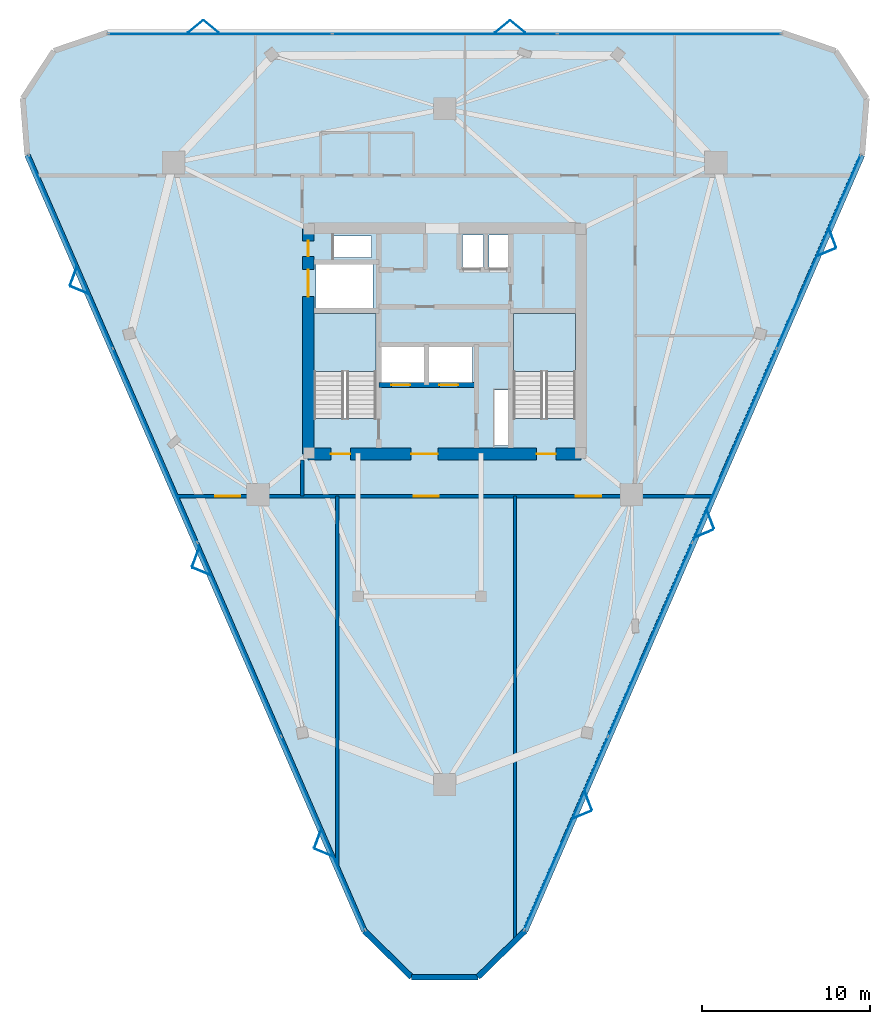
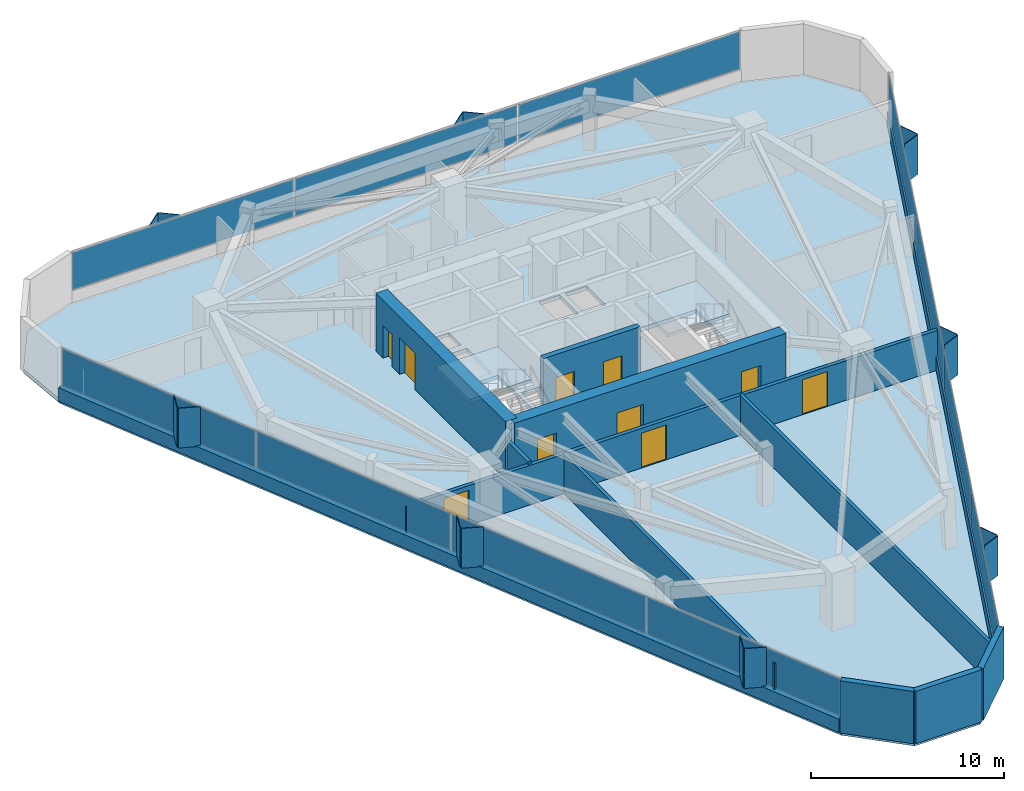
# One storey, part 9 of 12: 27 plates, 12 walls, 10 doors, 3 slabs, 10 openings, 5 elements without a shape of their own.
"""IFC4 building model written with IfcOpenShell, lengths in metres."""

from ifc_helpers import new_model, si_unit, direction, frame, frame_2d, origin, origin_2d, place, context, subcontext, project, spatial, polyline, rectangle, outline, extrude, material, layer, layer_set, type_object, element, fill, aggregate, save


model = new_model("IFC4")

# Units and contexts
model_context = context("Model", 3, precision=1e-05, world=origin(), true_north=direction((0.0, 1.0)))
body_context = subcontext(model_context, "Body", "Model", "MODEL_VIEW")
ifc_project = project(units=[si_unit("LENGTHUNIT", "METRE"), si_unit("AREAUNIT", "SQUARE_METRE"), si_unit("VOLUMEUNIT", "CUBIC_METRE"), si_unit("PLANEANGLEUNIT", "RADIAN"), si_unit("MASSUNIT", "GRAM", prefix="KILO")], contexts=[model_context])

# Site, building, storey
site_placement = place(None, origin())
site = spatial("IfcSite", under=ifc_project, at=site_placement, CompositionType="ELEMENT")
building_placement = place(site_placement, origin())
building = spatial("IfcBuilding", under=site, at=building_placement, Name="Talyreon Biosciences Tower", CompositionType="ELEMENT")
storey_placement = place(building_placement, frame((0.0, 0.0, 219.550048828125)))
storey = spatial("IfcBuildingStorey", under=building, at=storey_placement, Name="L58", CompositionType="ELEMENT", Elevation=219.550048828125)

# Curtain wall, plates
ifc_material_1 = material(Name="Thermally broken aluminium and low-E glazing", Category="aluminium")
ifc_layer_1 = layer(ifc_material_1, 0.179931640625)
ifc_layer_set_1 = layer_set([ifc_layer_1], Name="Thermally broken aluminium and low-E glazing")
curtain_wall_type = type_object("IfcCurtainWallType", Name="CurtainWall_Zone4Optical", PredefinedType="NOTDEFINED", material=ifc_layer_set_1)
curtain_wall_1_placement = place(storey_placement, origin())
curtain_wall_1 = element("IfcCurtainWall", 1, at=curtain_wall_1_placement, inside=storey, type_object=curtain_wall_type, Name="L58 Unitised Curtain Wall FCW-L58-00", PredefinedType="NOTDEFINED")
ifc_material_2 = material(Name="Triple-silver low-E insulated glazing", Category="glass")
ifc_layer_2 = layer(ifc_material_2, 0.031982421875)
ifc_layer_set_2 = layer_set([ifc_layer_2], Name="Triple-silver low-E insulated glazing")
plate_type_1 = type_object("IfcPlateType", Name="CWGlazingPanel_32", PredefinedType="CURTAIN_PANEL", material=ifc_layer_set_2)
plate_1_placement = place(storey_placement, frame((58.79736328125, 38.801513671875, 0.875), z_axis=(0.0, 0.0, 1.0), x_axis=(-0.398376473835, 0.917221993355, 0.0)))
plate_1 = element("IfcPlate", 2, at=plate_1_placement, type_object=plate_type_1, Name="CW5 panel 1.1", PredefinedType="CURTAIN_PANEL", context=body_context, shape_type="SweptSolid", body=[
    extrude(rectangle(XDim=12.453369140625, YDim=0.031982421875, at=origin_2d()), origin(), (0.0, 0.0, 1.0), 2.360107421875),
])
plate_2_placement = place(storey_placement, frame((53.8037109375, 50.298583984375, 0.875), z_axis=(0.0, 0.0, 1.0), x_axis=(-0.398376473835, 0.917221993355, 0.0)))
plate_2 = element("IfcPlate", 3, at=plate_2_placement, type_object=plate_type_1, Name="CW5 panel 2.1", PredefinedType="CURTAIN_PANEL", context=body_context, shape_type="SweptSolid", body=[
    extrude(rectangle(XDim=12.48583984375, YDim=0.031982421875, at=origin_2d()), origin(), (0.0, 0.0, 1.0), 2.360107421875),
])
plate_3_placement = place(storey_placement, frame((48.8037109375, 61.810791015625, 0.875), z_axis=(0.0, 0.0, 1.0), x_axis=(-0.398376473835, 0.917221993355, 0.0)))
plate_3 = element("IfcPlate", 4, at=plate_3_placement, type_object=plate_type_1, Name="CW5 panel 3.1", PredefinedType="CURTAIN_PANEL", context=body_context, shape_type="SweptSolid", body=[
    extrude(rectangle(XDim=12.48583984375, YDim=0.031982421875, at=origin_2d()), origin(), (0.0, 0.0, 1.0), 2.360107421875),
])
plate_4_placement = place(storey_placement, frame((43.810302734375, 73.307861328125, 0.875), z_axis=(0.0, 0.0, 1.0), x_axis=(-0.398376473835, 0.917221993355, 0.0)))
plate_4 = element("IfcPlate", 5, at=plate_4_placement, type_object=plate_type_1, Name="CW5 panel 4.1", PredefinedType="CURTAIN_PANEL", context=body_context, shape_type="SweptSolid", body=[
    extrude(rectangle(XDim=12.453369140625, YDim=0.031982421875, at=origin_2d()), origin(), (0.0, 0.0, 1.0), 2.360107421875),
])
aggregate(curtain_wall_1, [plate_1, plate_2, plate_3, plate_4])

curtain_wall_2_placement = place(storey_placement, origin())
curtain_wall_2 = element("IfcCurtainWall", 6, at=curtain_wall_2_placement, inside=storey, type_object=curtain_wall_type, Name="L58 Unitised Curtain Wall FCW-L58-04", PredefinedType="NOTDEFINED")
plate_5_placement = place(storey_placement, frame((52.682861328125, 86.23828125, 0.875), z_axis=(0.0, 0.0, 1.0), x_axis=(1.0, 0.0, 0.0)))
plate_5 = element("IfcPlate", 7, at=plate_5_placement, type_object=plate_type_1, Name="CW5 panel 1.1", PredefinedType="CURTAIN_PANEL", context=body_context, shape_type="SweptSolid", body=[
    extrude(rectangle(XDim=13.23583984375, YDim=0.031982421875, at=origin_2d()), origin(), (0.0, 0.0, 1.0), 2.360107421875),
])
plate_6_placement = place(storey_placement, frame((66.0, 86.23828125, 0.875), z_axis=(0.0, 0.0, 1.0), x_axis=(1.0, 0.0, 0.0)))
plate_6 = element("IfcPlate", 8, at=plate_6_placement, type_object=plate_type_1, Name="CW5 panel 2.1", PredefinedType="CURTAIN_PANEL", context=body_context, shape_type="SweptSolid", body=[
    extrude(rectangle(XDim=13.268310546875, YDim=0.031982421875, at=origin_2d()), origin(), (0.0, 0.0, 1.0), 2.360107421875),
])
plate_7_placement = place(storey_placement, frame((79.317138671875, 86.23828125, 0.875), z_axis=(0.0, 0.0, 1.0), x_axis=(1.0, 0.0, 0.0)))
plate_7 = element("IfcPlate", 9, at=plate_7_placement, type_object=plate_type_1, Name="CW5 panel 3.1", PredefinedType="CURTAIN_PANEL", context=body_context, shape_type="SweptSolid", body=[
    extrude(rectangle(XDim=13.23583984375, YDim=0.031982421875, at=origin_2d()), origin(), (0.0, 0.0, 1.0), 2.360107421875),
])
aggregate(curtain_wall_2, [plate_5, plate_6, plate_7])

curtain_wall_3_placement = place(storey_placement, origin())
curtain_wall_3 = element("IfcCurtainWall", 10, at=curtain_wall_3_placement, inside=storey, type_object=curtain_wall_type, Name="L58 Unitised Curtain Wall FCW-L58-08", PredefinedType="NOTDEFINED")
plate_8_placement = place(storey_placement, frame((88.189697265625, 73.307861328125, 0.875), z_axis=(0.0, 0.0, 1.0), x_axis=(-0.398376473835, -0.917221993355, 0.0)))
plate_8 = element("IfcPlate", 11, at=plate_8_placement, type_object=plate_type_1, Name="CW5 panel 1.1", PredefinedType="CURTAIN_PANEL", context=body_context, shape_type="SweptSolid", body=[
    extrude(rectangle(XDim=12.453369140625, YDim=0.031982421875, at=origin_2d()), origin(), (0.0, 0.0, 1.0), 2.360107421875),
])
plate_9_placement = place(storey_placement, frame((83.1962890625, 61.810791015625, 0.875), z_axis=(0.0, 0.0, 1.0), x_axis=(-0.398376473835, -0.917221993355, 0.0)))
plate_9 = element("IfcPlate", 12, at=plate_9_placement, type_object=plate_type_1, Name="CW5 panel 2.1", PredefinedType="CURTAIN_PANEL", context=body_context, shape_type="SweptSolid", body=[
    extrude(rectangle(XDim=12.48583984375, YDim=0.031982421875, at=origin_2d()), origin(), (0.0, 0.0, 1.0), 2.360107421875),
])
plate_10_placement = place(storey_placement, frame((78.1962890625, 50.298583984375, 0.875), z_axis=(0.0, 0.0, 1.0), x_axis=(-0.398376473835, -0.917221993355, 0.0)))
plate_10 = element("IfcPlate", 13, at=plate_10_placement, type_object=plate_type_1, Name="CW5 panel 3.1", PredefinedType="CURTAIN_PANEL", context=body_context, shape_type="SweptSolid", body=[
    extrude(rectangle(XDim=12.48583984375, YDim=0.031982421875, at=origin_2d()), origin(), (0.0, 0.0, 1.0), 2.360107421875),
])
plate_11_placement = place(storey_placement, frame((73.20263671875, 38.801513671875, 0.875), z_axis=(0.0, 0.0, 1.0), x_axis=(-0.398376473835, -0.917221993355, 0.0)))
plate_11 = element("IfcPlate", 14, at=plate_11_placement, type_object=plate_type_1, Name="CW5 panel 4.1", PredefinedType="CURTAIN_PANEL", context=body_context, shape_type="SweptSolid", body=[
    extrude(rectangle(XDim=12.453369140625, YDim=0.031982421875, at=origin_2d()), origin(), (0.0, 0.0, 1.0), 2.360107421875),
])
aggregate(curtain_wall_3, [plate_8, plate_9, plate_10, plate_11])

# Slab
ifc_material_3 = material(Name="Concrete C40/50", Category="concrete")
ifc_layer_3 = layer(ifc_material_3, 0.25)
ifc_layer_set_3 = layer_set([ifc_layer_3], Name="Concrete C40/50")
slab_type_1 = type_object("IfcSlabType", Name="DryLabFloorSlab_250", PredefinedType="FLOOR", material=ifc_layer_set_3)
slab_1_placement = place(storey_placement, frame((0.0, 0.0, -0.25)))
element("IfcSlab", 15, at=slab_1_placement, inside=storey, type_object=slab_type_1, Name="L58 Structural Floor Slab", PredefinedType="FLOOR", context=body_context, shape_type="SweptSolid", body=[
    extrude(outline(polyline([(61.23046875, 32.998779296875), (41.23046875, 79.046875), (40.962158203125, 82.406982421875), (42.81103515625, 85.225830078125), (46.0, 86.318359375), (86.0, 86.318359375), (89.18896484375, 85.225830078125), (91.037841796875, 82.406982421875), (90.76953125, 79.046875), (70.76953125, 32.998779296875), (67.962646484375, 30.2548828125), (64.037353515625, 30.2548828125), (61.23046875, 32.998779296875)]), holes=[polyline([(69.820068359375, 65.10009765625), (69.820068359375, 61.800048828125), (68.9599609375, 61.800048828125), (68.9599609375, 65.10009765625), (69.820068359375, 65.10009765625)]), polyline([(61.929931640625, 69.64990234375), (61.929931640625, 63.407958984375), (58.25, 63.407958984375), (58.25, 69.64990234375), (61.929931640625, 69.64990234375)]), polyline([(73.75, 69.64990234375), (73.75, 63.407958984375), (70.070068359375, 63.407958984375), (70.070068359375, 69.64990234375), (73.75, 69.64990234375)]), polyline([(64.800048828125, 67.64990234375), (64.800048828125, 65.550048828125), (62.199951171875, 65.550048828125), (62.199951171875, 67.64990234375), (64.800048828125, 67.64990234375)]), polyline([(67.64990234375, 67.64990234375), (67.64990234375, 65.550048828125), (65.050048828125, 65.550048828125), (65.050048828125, 67.64990234375), (67.64990234375, 67.64990234375)]), polyline([(61.75, 72.550048828125), (61.75, 69.97998046875), (58.35009765625, 69.97998046875), (58.35009765625, 72.550048828125), (61.75, 72.550048828125)]), polyline([(68.300048828125, 74.300048828125), (68.300048828125, 72.35009765625), (67.050048828125, 72.35009765625), (67.050048828125, 74.300048828125), (68.300048828125, 74.300048828125)]), polyline([(69.919921875, 72.35009765625), (68.6201171875, 72.35009765625), (68.6201171875, 74.300048828125), (69.919921875, 74.300048828125), (69.919921875, 72.35009765625)]), polyline([(61.64990234375, 72.9599609375), (59.39990234375, 72.9599609375), (59.39990234375, 74.25), (61.64990234375, 74.25), (61.64990234375, 72.9599609375)])]), origin(), (0.0, 0.0, 1.0), 0.25),
])

# Plates
ifc_material_4 = material(Name="Ivory GFRC sunshade panel", Category="concrete")
ifc_layer_4 = layer(ifc_material_4, 0.044921875)
ifc_layer_set_4 = layer_set([ifc_layer_4], Name="Ivory GFRC sunshade panel")
plate_type_2 = type_object("IfcPlateType", Name="FoldedVSunshade_NorthFace_SUNSHADE", PredefinedType="USERDEFINED", material=ifc_layer_set_4)
for number, where, z_axis, x_axis, name in (
    (16, (51.219970703125, 86.678466796875, 0.7900390625), (0.0, 0.0, 1.0), (0.771624583388, 0.636078220278, 0.0), "L58 Folded V-Sunshade Panel 04.01L"),
    (17, (52.1201171875, 86.678466796875, 0.7900390625), (0.0, 0.0, 1.0), (0.771624583388, -0.636078220278, 0.0), "L58 Folded V-Sunshade Panel 04.01R"),
    (18, (69.419921875, 86.678466796875, 0.7900390625), (0.0, 0.0, 1.0), (0.771624583388, 0.636078220278, 0.0), "L58 Folded V-Sunshade Panel 04.02L"),
    (19, (70.320068359375, 86.678466796875, 0.7900390625), (0.0, 0.0, 1.0), (0.771624583388, -0.636078220278, 0.0), "L58 Folded V-Sunshade Panel 04.02R"),
):
    element("IfcPlate", number, at=place(storey_placement, frame(where, z_axis=z_axis, x_axis=x_axis)), inside=storey, type_object=plate_type_2, Name=name, ObjectType="SUNSHADE", PredefinedType="USERDEFINED", context=body_context, shape_type="SweptSolid", body=[
        extrude(rectangle(XDim=1.14990234375, YDim=0.044921875, at=origin_2d()), origin(), (0.0, 0.0, 1.0), 2.510009765625),
    ])
ifc_layer_5 = layer(ifc_material_4, 0.044921875)
ifc_layer_set_5 = layer_set([ifc_layer_5], Name="Ivory GFRC sunshade panel")
plate_type_3 = type_object("IfcPlateType", Name="FoldedVSunshade_SunFace_SUNSHADE", PredefinedType="USERDEFINED", material=ifc_layer_set_5)
for number, where, z_axis, x_axis, name in (
    (20, (58.82080078125, 37.643310546875, 0.7900390625), (0.0, 0.0, 1.0), (-0.923725839102, 0.383054270536, 0.0), "L58 Folded V-Sunshade Panel 00.01L"),
    (21, (58.462158203125, 38.46875, 0.7900390625), (0.0, 0.0, 1.0), (0.350583357348, 0.93653153153, 0.0), "L58 Folded V-Sunshade Panel 00.01R"),
    (22, (51.5703125, 54.336669921875, 0.7900390625), (0.0, 0.0, 1.0), (-0.923725839102, 0.383054270536, 0.0), "L58 Folded V-Sunshade Panel 00.02L"),
    (23, (51.211669921875, 55.162109375, 0.7900390625), (0.0, 0.0, 1.0), (0.350583357348, 0.93653153153, 0.0), "L58 Folded V-Sunshade Panel 00.02R"),
    (24, (44.31982421875, 71.0302734375, 0.7900390625), (0.0, 0.0, 1.0), (-0.923725839102, 0.383054270536, 0.0), "L58 Folded V-Sunshade Panel 00.03L"),
    (25, (43.961181640625, 71.855712890625, 0.7900390625), (0.0, 0.0, 1.0), (0.350583357348, 0.93653153153, 0.0), "L58 Folded V-Sunshade Panel 00.03R"),
    (26, (89.020263671875, 74.115478515625, 0.7900390625), (0.0, 0.0, 1.0), (0.350583357348, -0.93653153153, 0.0), "L58 Folded V-Sunshade Panel 08.01L"),
    (27, (88.66162109375, 73.2900390625, 0.7900390625), (0.0, 0.0, 1.0), (-0.923725839102, -0.383054270536, 0.0), "L58 Folded V-Sunshade Panel 08.01R"),
    (28, (81.769775390625, 57.422119140625, 0.7900390625), (0.0, 0.0, 1.0), (0.350583357348, -0.93653153153, 0.0), "L58 Folded V-Sunshade Panel 08.02L"),
    (29, (81.411376953125, 56.596435546875, 0.7900390625), (0.0, 0.0, 1.0), (-0.923725839102, -0.383054270536, 0.0), "L58 Folded V-Sunshade Panel 08.02R"),
    (30, (74.519287109375, 40.728515625, 0.7900390625), (0.0, 0.0, 1.0), (0.350583357348, -0.93653153153, 0.0), "L58 Folded V-Sunshade Panel 08.03L"),
    (31, (74.160888671875, 39.903076171875, 0.7900390625), (0.0, 0.0, 1.0), (-0.923725839102, -0.383054270536, 0.0), "L58 Folded V-Sunshade Panel 08.03R"),
):
    element("IfcPlate", number, at=place(storey_placement, frame(where, z_axis=z_axis, x_axis=x_axis)), inside=storey, type_object=plate_type_3, Name=name, ObjectType="SUNSHADE", PredefinedType="USERDEFINED", context=body_context, shape_type="SweptSolid", body=[
        extrude(rectangle(XDim=1.14990234375, YDim=0.044921875, at=origin_2d()), origin(), (0.0, 0.0, 1.0), 2.510009765625),
    ])

# Stair, slab
stair_type = type_object("IfcStairType", Name="DoglegEscapeStair_3650", PredefinedType="HALF_TURN_STAIR", material=ifc_material_3)
stair_1_placement = place(storey_placement, origin())
stair_1 = element("IfcStair", 32, at=stair_1_placement, inside=storey, type_object=stair_type, Name="L58 Core Escape Stair 1", PredefinedType="HALF_TURN_STAIR")
ifc_layer_6 = layer(ifc_material_3, 0.199951171875)
ifc_layer_set_6 = layer_set([ifc_layer_6], Name="Concrete C40/50")
slab_type_2 = type_object("IfcSlabType", Name="StairLandingSlab_200", PredefinedType="LANDING", material=ifc_layer_set_6)
slab_2_placement = place(storey_placement, frame((0.0, 0.0, 1.625)))
slab_2 = element("IfcSlab", 33, at=slab_2_placement, type_object=slab_type_2, Name="ST-1 landing 1", PredefinedType="LANDING", context=body_context, shape_type="SweptSolid", body=[
    extrude(outline(polyline([(61.929931640625, 66.199951171875), (61.929931640625, 69.64990234375), (58.25, 69.64990234375), (58.25, 66.199951171875), (61.929931640625, 66.199951171875)])), origin(), (0.0, 0.0, 1.0), 0.199951171875),
])
aggregate(stair_1, [slab_2])

stair_2_placement = place(storey_placement, origin())
stair_2 = element("IfcStair", 34, at=stair_2_placement, inside=storey, type_object=stair_type, Name="L58 Core Escape Stair 2", PredefinedType="HALF_TURN_STAIR")
slab_3_placement = place(storey_placement, frame((0.0, 0.0, 1.625)))
slab_3 = element("IfcSlab", 35, at=slab_3_placement, type_object=slab_type_2, Name="ST-2 landing 1", PredefinedType="LANDING", context=body_context, shape_type="SweptSolid", body=[
    extrude(outline(polyline([(73.75, 66.199951171875), (73.75, 69.64990234375), (70.070068359375, 69.64990234375), (70.070068359375, 66.199951171875), (73.75, 66.199951171875)])), origin(), (0.0, 0.0, 1.0), 0.199951171875),
])
aggregate(stair_2, [slab_3])

# Walls
ifc_material_5 = material(Name="Gypsum fireboard acoustic stud", Category="gypsum")
ifc_layer_7 = layer(ifc_material_5, 0.199951171875)
ifc_layer_set_7 = layer_set([ifc_layer_7], Name="Gypsum fireboard acoustic stud")
wall_type_1 = type_object("IfcWallType", Name="ChemControlPartition_200", PredefinedType="PARTITIONING", material=ifc_layer_set_7)
wall_1_placement = place(storey_placement, frame((59.6259765625, 36.906005859375, 0.0), z_axis=(0.0, 0.0, 1.0), x_axis=(0.0, 1.0, 0.0)))
element("IfcWall", 36, at=wall_1_placement, inside=storey, type_object=wall_type_1, Name="L58 Interior Wall IW-L58-SDIV1", PredefinedType="PARTITIONING", context=body_context, shape_type="SweptSolid", body=[
    extrude(rectangle(XDim=21.89404296875, YDim=0.199951171875, at=frame_2d((10.947021484375, 0.0))), origin(), (0.0, 0.0, 1.0), 2.5),
])
wall_2_placement = place(storey_placement, frame((70.174072265625, 32.535400390625, 0.0), z_axis=(0.0, 0.0, 1.0), x_axis=(0.0, 1.0, 0.0)))
element("IfcWall", 37, at=wall_2_placement, inside=storey, type_object=wall_type_1, Name="L58 Interior Wall IW-L58-SDIV2", PredefinedType="PARTITIONING", context=body_context, shape_type="SweptSolid", body=[
    extrude(rectangle(XDim=26.2646484375, YDim=0.199951171875, at=frame_2d((13.13232421875, 0.0))), origin(), (0.0, 0.0, 1.0), 2.5),
])

# Wall, openings, doors
ifc_material_6 = material(Name="Concrete C50/60", Category="concrete")
ifc_layer_8 = layer(ifc_material_6, 0.320068359375)
ifc_layer_set_8 = layer_set([ifc_layer_8], Name="Concrete C50/60")
wall_type_2 = type_object("IfcWallType", Name="CoreShearWall_320", PredefinedType="SHEAR", material=ifc_layer_set_8)
wall_3_placement = place(storey_placement, frame((62.090087890625, 65.39990234375, 0.0), z_axis=(0.0, 0.0, 1.0), x_axis=(1.0, 0.0, 0.0)))
wall_3 = element("IfcWall", 38, at=wall_3_placement, inside=storey, type_object=wall_type_2, Name="L58 Core Shaft Wall SWFFN", PredefinedType="SHEAR", context=body_context, shape_type="SweptSolid", body=[
    extrude(rectangle(XDim=5.789794921875, YDim=0.320068359375, at=frame_2d((2.89501953125, 0.0))), origin(), (0.0, 0.0, 1.0), 3.64990234375),
])
opening_1_placement = place(wall_3_placement, frame((0.75, 0.0, 0.0)))
opening_1 = element("IfcOpeningElement", 39, at=opening_1_placement, cuts=wall_3, Name="Opening LD-L58-FL1", PredefinedType="OPENING", context=body_context, shape_type="SweptSolid", body=[
    extrude(rectangle(XDim=1.10009765625, YDim=2.199951171875, at=frame_2d((0.550048828125, 1.10009765625))), frame((0.0, 0.169921875, 0.0), z_axis=(0.0, -1.0, 0.0), x_axis=(1.0, 0.0, 0.0)), (0.0, 0.0, 1.0), 0.340087890625),
])
opening_2_placement = place(wall_3_placement, frame((3.60009765625, 0.0, 0.0)))
opening_2 = element("IfcOpeningElement", 40, at=opening_2_placement, cuts=wall_3, Name="Opening LD-L58-FL2", PredefinedType="OPENING", context=body_context, shape_type="SweptSolid", body=[
    extrude(rectangle(XDim=1.10009765625, YDim=2.199951171875, at=frame_2d((0.550048828125, 1.10009765625))), frame((0.0, 0.169921875, 0.0), z_axis=(0.0, -1.0, 0.0), x_axis=(1.0, 0.0, 0.0)), (0.0, 0.0, 1.0), 0.340087890625),
])
ifc_material_7 = material(Name="Brushed stainless-steel lift landing door", Category="steel")
door_type_1 = type_object("IfcDoorType", Name="LiftSlidingLandingDoor_1100x2200", OperationType="SLIDING_TO_LEFT", PredefinedType="DOOR", material=ifc_material_7)
door_1_placement = place(opening_1_placement, origin())
door_1 = element("IfcDoor", 41, at=door_1_placement, inside=storey, type_object=door_type_1, Name="L58 Core Door LD-L58-FL1", OperationType="SLIDING_TO_LEFT", OverallHeight=2.199951171875, OverallWidth=1.10009765625, PredefinedType="DOOR", context=body_context, shape_type="SweptSolid", body=[
    extrude(rectangle(XDim=1.10009765625, YDim=2.199951171875, at=frame_2d((0.550048828125, 1.10009765625))), frame((0.0, 0.02490234375, 0.0), z_axis=(0.0, -1.0, 0.0), x_axis=(1.0, 0.0, 0.0)), (0.0, 0.0, 1.0), 0.050048828125),
])
fill(opening_1, door_1)
door_2_placement = place(opening_2_placement, origin())
door_2 = element("IfcDoor", 42, at=door_2_placement, inside=storey, type_object=door_type_1, Name="L58 Core Door LD-L58-FL2", OperationType="SLIDING_TO_LEFT", OverallHeight=2.199951171875, OverallWidth=1.10009765625, PredefinedType="DOOR", context=body_context, shape_type="SweptSolid", body=[
    extrude(rectangle(XDim=1.10009765625, YDim=2.199951171875, at=frame_2d((0.550048828125, 1.10009765625))), frame((0.0, 0.02490234375, 0.0), z_axis=(0.0, -1.0, 0.0), x_axis=(1.0, 0.0, 0.0)), (0.0, 0.0, 1.0), 0.050048828125),
])
fill(opening_2, door_2)

ifc_layer_9 = layer(ifc_material_6, 0.699951171875)
ifc_layer_set_9 = layer_set([ifc_layer_9], Name="Concrete C50/60")
wall_type_3 = type_object("IfcWallType", Name="CoreShearWall_700", PredefinedType="SHEAR", material=ifc_layer_set_9)
wall_4_placement = place(storey_placement, frame((57.89990234375, 61.300048828125, 0.0), z_axis=(0.0, 0.0, 1.0), x_axis=(1.0, 0.0, 0.0)))
wall_4 = element("IfcWall", 43, at=wall_4_placement, inside=storey, type_object=wall_type_3, Name="L58 Core Shear Wall S", PredefinedType="SHEAR", context=body_context, shape_type="SweptSolid", body=[
    extrude(rectangle(XDim=16.2001953125, YDim=0.699951171875, at=frame_2d((8.10009765625, 0.0))), origin(), (0.0, 0.0, 1.0), 3.64990234375),
])
opening_3_placement = place(wall_4_placement, frame((1.35009765625, 0.0, 0.0)))
opening_3 = element("IfcOpeningElement", 44, at=opening_3_placement, cuts=wall_4, Name="Opening DR-L58-ST1", PredefinedType="OPENING", context=body_context, shape_type="SweptSolid", body=[
    extrude(rectangle(XDim=1.14990234375, YDim=2.14990234375, at=frame_2d((0.574951171875, 1.074951171875))), frame((0.0, 0.35986328125, 0.0), z_axis=(0.0, -1.0, 0.0), x_axis=(1.0, 0.0, 0.0)), (0.0, 0.0, 1.0), 0.719970703125),
])
opening_4_placement = place(wall_4_placement, frame((6.10009765625, 0.0, 0.0)))
opening_4 = element("IfcOpeningElement", 45, at=opening_4_placement, cuts=wall_4, Name="Opening DR-L58-FFL", PredefinedType="OPENING", context=body_context, shape_type="SweptSolid", body=[
    extrude(rectangle(XDim=1.60009765625, YDim=2.14990234375, at=frame_2d((0.800048828125, 1.074951171875))), frame((0.0, 0.35986328125, 0.0), z_axis=(0.0, -1.0, 0.0), x_axis=(1.0, 0.0, 0.0)), (0.0, 0.0, 1.0), 0.719970703125),
])
opening_5_placement = place(wall_4_placement, frame((13.550048828125, 0.0, 0.0)))
opening_5 = element("IfcOpeningElement", 46, at=opening_5_placement, cuts=wall_4, Name="Opening DR-L58-ST2", PredefinedType="OPENING", context=body_context, shape_type="SweptSolid", body=[
    extrude(rectangle(XDim=1.14990234375, YDim=2.14990234375, at=frame_2d((0.574951171875, 1.074951171875))), frame((0.0, 0.35986328125, 0.0), z_axis=(0.0, -1.0, 0.0), x_axis=(1.0, 0.0, 0.0)), (0.0, 0.0, 1.0), 0.719970703125),
])
ifc_material_8 = material(Name="Painted steel smoke-seal fire door", Category="steel")
door_type_2 = type_object("IfcDoorType", Name="FirefightingLobbyDoubleDoor_1600x2150", OperationType="DOUBLE_DOOR_SINGLE_SWING", PredefinedType="DOOR", material=ifc_material_8)
door_3_placement = place(opening_4_placement, origin())
door_3 = element("IfcDoor", 47, at=door_3_placement, inside=storey, type_object=door_type_2, Name="L58 Core Door DR-L58-FFL", OperationType="DOUBLE_DOOR_SINGLE_SWING", OverallHeight=2.14990234375, OverallWidth=1.60009765625, PredefinedType="DOOR", context=body_context, shape_type="SweptSolid", body=[
    extrude(rectangle(XDim=1.60009765625, YDim=2.14990234375, at=frame_2d((0.800048828125, 1.074951171875))), frame((0.0, 0.02490234375, 0.0), z_axis=(0.0, -1.0, 0.0), x_axis=(1.0, 0.0, 0.0)), (0.0, 0.0, 1.0), 0.050048828125),
])
fill(opening_4, door_3)
ifc_material_9 = material(Name="Painted steel fire door", Category="steel")
door_type_3 = type_object("IfcDoorType", Name="StairShaftFireDoor_1150x2150", OperationType="NOTDEFINED", PredefinedType="DOOR", material=ifc_material_9)
door_4_placement = place(opening_3_placement, origin())
door_4 = element("IfcDoor", 48, at=door_4_placement, inside=storey, type_object=door_type_3, Name="L58 Core Door DR-L58-ST1", OperationType="SINGLE_SWING_LEFT", OverallHeight=2.14990234375, OverallWidth=1.14990234375, PredefinedType="DOOR", context=body_context, shape_type="SweptSolid", body=[
    extrude(rectangle(XDim=1.14990234375, YDim=2.14990234375, at=frame_2d((0.574951171875, 1.074951171875))), frame((0.0, 0.02490234375, 0.0), z_axis=(0.0, -1.0, 0.0), x_axis=(1.0, 0.0, 0.0)), (0.0, 0.0, 1.0), 0.050048828125),
])
fill(opening_3, door_4)
door_5_placement = place(opening_5_placement, origin())
door_5 = element("IfcDoor", 49, at=door_5_placement, inside=storey, type_object=door_type_3, Name="L58 Core Door DR-L58-ST2", OperationType="SINGLE_SWING_RIGHT", OverallHeight=2.14990234375, OverallWidth=1.14990234375, PredefinedType="DOOR", context=body_context, shape_type="SweptSolid", body=[
    extrude(rectangle(XDim=1.14990234375, YDim=2.14990234375, at=frame_2d((0.574951171875, 1.074951171875))), frame((0.0, 0.02490234375, 0.0), z_axis=(0.0, -1.0, 0.0), x_axis=(1.0, 0.0, 0.0)), (0.0, 0.0, 1.0), 0.050048828125),
])
fill(opening_5, door_5)

wall_5_placement = place(storey_placement, frame((57.89990234375, 74.699951171875, 0.0), z_axis=(0.0, 0.0, 1.0), x_axis=(0.0, -1.0, 0.0)))
wall_5 = element("IfcWall", 50, at=wall_5_placement, inside=storey, type_object=wall_type_3, Name="L58 Core Shear Wall W", PredefinedType="SHEAR", context=body_context, shape_type="SweptSolid", body=[
    extrude(rectangle(XDim=13.39990234375, YDim=0.699951171875, at=frame_2d((6.699951171875, 0.0))), origin(), (0.0, 0.0, 1.0), 3.64990234375),
])
opening_6_placement = place(wall_5_placement, frame((0.75, 0.0, 0.0)))
opening_6 = element("IfcOpeningElement", 51, at=opening_6_placement, cuts=wall_5, Name="Opening DR-L58-RSW", PredefinedType="OPENING", context=body_context, shape_type="SweptSolid", body=[
    extrude(rectangle(XDim=0.919921875, YDim=2.050048828125, at=frame_2d((0.4599609375, 1.02490234375))), frame((0.0, 0.35986328125, 0.0), z_axis=(0.0, -1.0, 0.0), x_axis=(1.0, 0.0, 0.0)), (0.0, 0.0, 1.0), 0.719970703125),
])
opening_7_placement = place(wall_5_placement, frame((2.449951171875, 0.0, 0.0)))
opening_7 = element("IfcOpeningElement", 52, at=opening_7_placement, cuts=wall_5, Name="Opening LD-L58-GL1", PredefinedType="OPENING", context=body_context, shape_type="SweptSolid", body=[
    extrude(rectangle(XDim=1.60009765625, YDim=2.300048828125, at=frame_2d((0.800048828125, 1.14990234375))), frame((0.0, 0.35986328125, 0.0), z_axis=(0.0, -1.0, 0.0), x_axis=(1.0, 0.0, 0.0)), (0.0, 0.0, 1.0), 0.719970703125),
])
ifc_material_10 = material(Name="Heavy-duty stainless-steel goods lift door", Category="steel")
door_type_4 = type_object("IfcDoorType", Name="GoodsLiftSlidingDoor_1600x2300", OperationType="DOUBLE_DOOR_SLIDING", PredefinedType="DOOR", material=ifc_material_10)
door_6_placement = place(opening_7_placement, origin())
door_6 = element("IfcDoor", 53, at=door_6_placement, inside=storey, type_object=door_type_4, Name="L58 Core Door LD-L58-GL1", OperationType="DOUBLE_DOOR_SLIDING", OverallHeight=2.300048828125, OverallWidth=1.60009765625, PredefinedType="DOOR", context=body_context, shape_type="SweptSolid", body=[
    extrude(rectangle(XDim=1.60009765625, YDim=2.300048828125, at=frame_2d((0.800048828125, 1.14990234375))), frame((0.0, 0.02490234375, 0.0), z_axis=(0.0, -1.0, 0.0), x_axis=(1.0, 0.0, 0.0)), (0.0, 0.0, 1.0), 0.050048828125),
])
fill(opening_7, door_6)
ifc_material_11 = material(Name="Painted steel fire-rated riser door", Category="steel")
door_type_5 = type_object("IfcDoorType", Name="RiserPlantAccessDoor_920x2050", OperationType="NOTDEFINED", PredefinedType="DOOR", material=ifc_material_11)
door_7_placement = place(opening_6_placement, origin())
door_7 = element("IfcDoor", 54, at=door_7_placement, inside=storey, type_object=door_type_5, Name="L58 Core Door DR-L58-RSW", OperationType="SINGLE_SWING_LEFT", OverallHeight=2.050048828125, OverallWidth=0.919921875, PredefinedType="DOOR", context=body_context, shape_type="SweptSolid", body=[
    extrude(rectangle(XDim=0.919921875, YDim=2.050048828125, at=frame_2d((0.4599609375, 1.02490234375))), frame((0.0, 0.02490234375, 0.0), z_axis=(0.0, -1.0, 0.0), x_axis=(1.0, 0.0, 0.0)), (0.0, 0.0, 1.0), 0.050048828125),
])
fill(opening_6, door_7)

ifc_layer_10 = layer(ifc_material_5, 0.219970703125)
ifc_layer_set_10 = layer_set([ifc_layer_10], Name="Gypsum fireboard acoustic stud")
wall_type_4 = type_object("IfcWallType", Name="CorridorRatedPartition_220", PredefinedType="PARTITIONING", material=ifc_layer_set_10)
wall_6_placement = place(storey_placement, frame((50.116943359375, 58.800048828125, 0.0), z_axis=(0.0, 0.0, 1.0), x_axis=(1.0, 0.0, 0.0)))
wall_6 = element("IfcWall", 55, at=wall_6_placement, inside=storey, type_object=wall_type_4, Name="L58 Interior Wall IW-L58-COR-S", PredefinedType="PARTITIONING", context=body_context, shape_type="SweptSolid", body=[
    extrude(rectangle(XDim=31.76611328125, YDim=0.219970703125, at=frame_2d((15.883056640625, 0.0))), origin(), (0.0, 0.0, 1.0), 2.5),
])
opening_8_placement = place(wall_6_placement, frame((2.25, 0.0, 0.0)))
opening_8 = element("IfcOpeningElement", 56, at=opening_8_placement, cuts=wall_6, Name="Opening DR-L58-S1A", PredefinedType="OPENING", context=body_context, shape_type="SweptSolid", body=[
    extrude(rectangle(XDim=1.5, YDim=2.199951171875, at=frame_2d((0.75, 1.10009765625))), frame((0.0, 0.119873046875, 0.0), z_axis=(0.0, -1.0, 0.0), x_axis=(1.0, 0.0, 0.0)), (0.0, 0.0, 1.0), 0.239990234375),
])
opening_9_placement = place(wall_6_placement, frame((14.032958984375, 0.0, 0.0)))
opening_9 = element("IfcOpeningElement", 57, at=opening_9_placement, cuts=wall_6, Name="Opening DR-L58-S2A", PredefinedType="OPENING", context=body_context, shape_type="SweptSolid", body=[
    extrude(rectangle(XDim=1.5, YDim=2.199951171875, at=frame_2d((0.75, 1.10009765625))), frame((0.0, 0.119873046875, 0.0), z_axis=(0.0, -1.0, 0.0), x_axis=(1.0, 0.0, 0.0)), (0.0, 0.0, 1.0), 0.239990234375),
])
opening_10_placement = place(wall_6_placement, frame((23.658935546875, 0.0, 0.0)))
opening_10 = element("IfcOpeningElement", 58, at=opening_10_placement, cuts=wall_6, Name="Opening DR-L58-S3A", PredefinedType="OPENING", context=body_context, shape_type="SweptSolid", body=[
    extrude(rectangle(XDim=1.5, YDim=2.199951171875, at=frame_2d((0.75, 1.10009765625))), frame((0.0, 0.119873046875, 0.0), z_axis=(0.0, -1.0, 0.0), x_axis=(1.0, 0.0, 0.0)), (0.0, 0.0, 1.0), 0.239990234375),
])
ifc_material_12 = material(Name="Vision-panel steel laboratory fire door", Category="steel")
door_type_6 = type_object("IfcDoorType", Name="WetLabDoubleLeafDoor_1500x2200", OperationType="DOUBLE_DOOR_SINGLE_SWING", PredefinedType="DOOR", material=ifc_material_12)
door_8_placement = place(opening_8_placement, origin())
door_8 = element("IfcDoor", 59, at=door_8_placement, inside=storey, type_object=door_type_6, Name="L58 Interior Door DR-L58-S1A", OperationType="DOUBLE_DOOR_SINGLE_SWING", OverallHeight=2.199951171875, OverallWidth=1.5, PredefinedType="DOOR", context=body_context, shape_type="SweptSolid", body=[
    extrude(rectangle(XDim=1.5, YDim=2.199951171875, at=frame_2d((0.75, 1.10009765625))), frame((0.0, 0.02490234375, 0.0), z_axis=(0.0, -1.0, 0.0), x_axis=(1.0, 0.0, 0.0)), (0.0, 0.0, 1.0), 0.050048828125),
])
fill(opening_8, door_8)
door_9_placement = place(opening_9_placement, origin())
door_9 = element("IfcDoor", 60, at=door_9_placement, inside=storey, type_object=door_type_6, Name="L58 Interior Door DR-L58-S2A", OperationType="DOUBLE_DOOR_SINGLE_SWING", OverallHeight=2.199951171875, OverallWidth=1.5, PredefinedType="DOOR", context=body_context, shape_type="SweptSolid", body=[
    extrude(rectangle(XDim=1.5, YDim=2.199951171875, at=frame_2d((0.75, 1.10009765625))), frame((0.0, 0.02490234375, 0.0), z_axis=(0.0, -1.0, 0.0), x_axis=(1.0, 0.0, 0.0)), (0.0, 0.0, 1.0), 0.050048828125),
])
fill(opening_9, door_9)
door_10_placement = place(opening_10_placement, origin())
door_10 = element("IfcDoor", 61, at=door_10_placement, inside=storey, type_object=door_type_6, Name="L58 Interior Door DR-L58-S3A", OperationType="DOUBLE_DOOR_SINGLE_SWING", OverallHeight=2.199951171875, OverallWidth=1.5, PredefinedType="DOOR", context=body_context, shape_type="SweptSolid", body=[
    extrude(rectangle(XDim=1.5, YDim=2.199951171875, at=frame_2d((0.75, 1.10009765625))), frame((0.0, 0.02490234375, 0.0), z_axis=(0.0, -1.0, 0.0), x_axis=(1.0, 0.0, 0.0)), (0.0, 0.0, 1.0), 0.050048828125),
])
fill(opening_10, door_10)

# Walls
wall_7_placement = place(storey_placement, frame((57.550048828125, 58.800048828125, 0.0), z_axis=(0.0, 0.0, 1.0), x_axis=(0.0, 1.0, 0.0)))
element("IfcWall", 62, at=wall_7_placement, inside=storey, type_object=wall_type_4, Name="L58 Interior Wall IW-L58-WCAP-S", PredefinedType="PARTITIONING", context=body_context, shape_type="SweptSolid", body=[
    extrude(rectangle(XDim=2.14990234375, YDim=0.219970703125, at=frame_2d((1.074951171875, 0.0))), origin(), (0.0, 0.0, 1.0), 2.679931640625),
])
ifc_material_13 = material(Name="Precast concrete C45/55", Category="concrete")
ifc_layer_11 = layer(ifc_material_13, 0.340087890625)
ifc_layer_set_11 = layer_set([ifc_layer_11], Name="Precast concrete C45/55")
wall_type_5 = type_object("IfcWallType", Name="PrecastConcreteSpandrelWall_340", PredefinedType="STANDARD", material=ifc_layer_set_11)
for number, where, z_axis, x_axis, name in (
    (63, (61.23046875, 32.998779296875, 0.0), (0.0, 0.0, 1.0), (-0.398375777276, 0.917222295891, 0.0), "L58 Expressed Concrete Sill Wall 00"),
    (64, (90.76953125, 79.046875, 0.0), (0.0, 0.0, 1.0), (-0.398375777276, -0.917222295891, 0.0), "L58 Expressed Concrete Sill Wall 08"),
):
    element("IfcWall", number, at=place(storey_placement, frame(where, z_axis=z_axis, x_axis=x_axis)), inside=storey, type_object=wall_type_5, Name=name, PredefinedType="STANDARD", context=body_context, shape_type="SweptSolid", body=[
        extrude(rectangle(XDim=50.203857421875, YDim=0.340087890625, at=frame_2d((25.10205078125, 0.0))), origin(), (0.0, 0.0, 1.0), 0.849853515625),
    ])
for number, where, z_axis, x_axis, name in (
    (65, (70.76953125, 32.998779296875, 0.0), (0.0, 0.0, 1.0), (-0.715084737265, -0.699037780475, 0.0), "L58 Rounded-Corner Concrete Pier 09"),
    (66, (67.962646484375, 30.2548828125, 0.0), (0.0, 0.0, 1.0), (-1.0, 0.0, 0.0), "L58 Rounded-Corner Concrete Pier 10"),
    (67, (64.037353515625, 30.2548828125, 0.0), (0.0, 0.0, 1.0), (-0.715084737265, 0.699037780475, 0.0), "L58 Rounded-Corner Concrete Pier 11"),
):
    element("IfcWall", number, at=place(storey_placement, frame(where, z_axis=z_axis, x_axis=x_axis)), inside=storey, type_object=wall_type_5, Name=name, PredefinedType="STANDARD", context=body_context, shape_type="SweptSolid", body=[
        extrude(rectangle(XDim=3.92529296875, YDim=0.340087890625, at=frame_2d((1.962646484375, 0.0))), origin(), (0.0, 0.0, 1.0), 3.300048828125),
    ])

save(model, "model.ifc")
